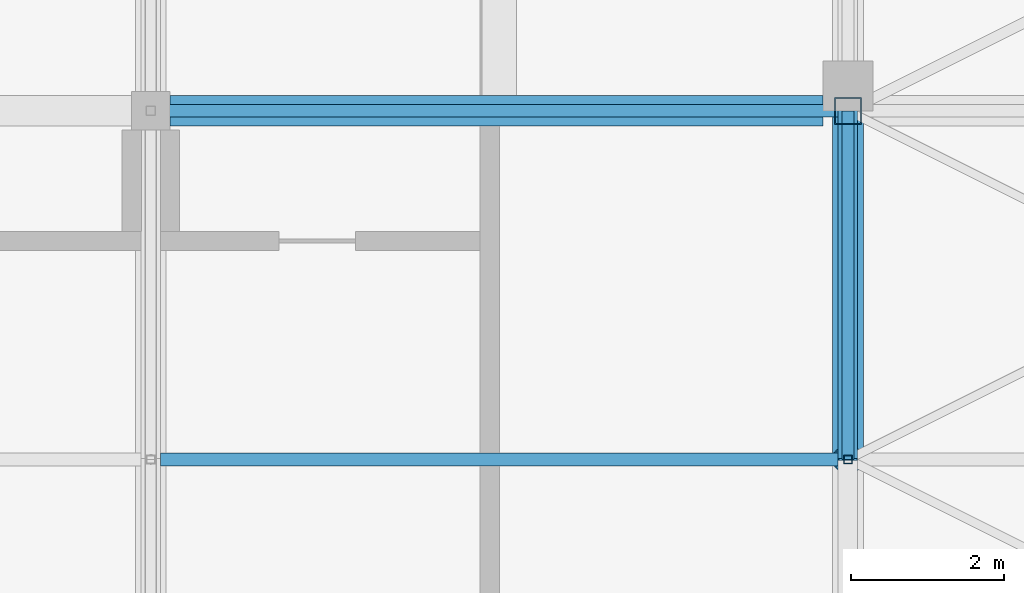
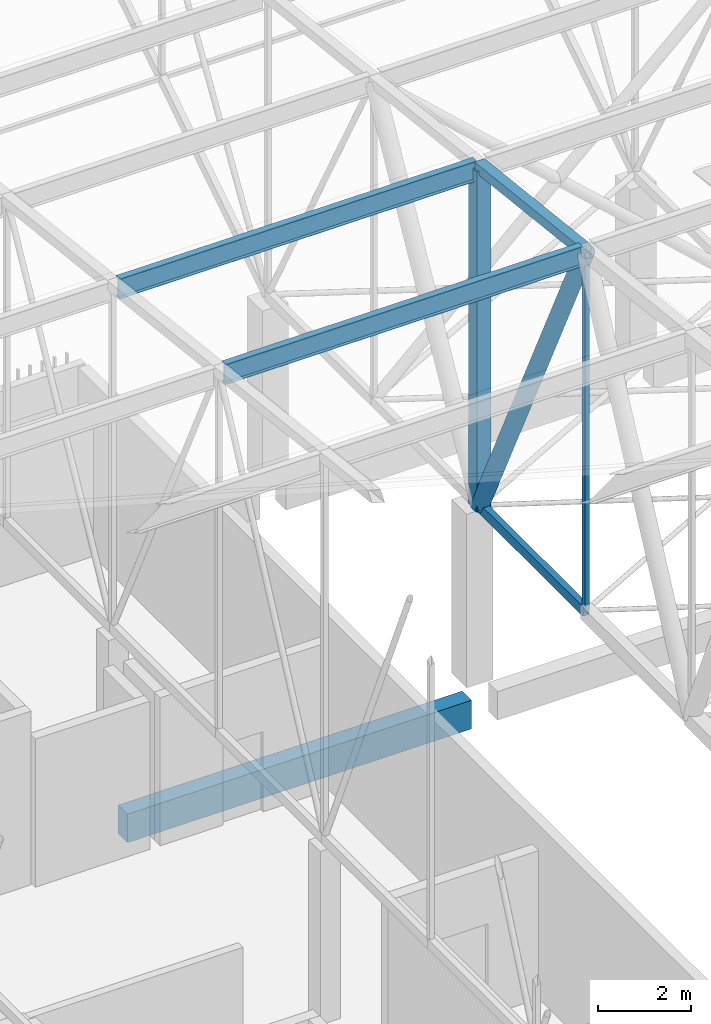
# One storey, part 242 of 500: 7 members, 1 beam.
"""IFC4 building model written with IfcOpenShell, lengths in metres."""

from ifc_helpers import new_model, si_unit, direction, frame, origin, origin_2d, place, context, subcontext, project, spatial, rectangle, hollow_rectangle, hollow_circle, i_section, extrude, material, material_profile, profile_set, type_object, element, save


model = new_model("IFC4")

# Units and contexts
model_context = context("Model", 3, precision=1e-05, world=origin(), true_north=direction((0.0, 1.0)))
body_context = subcontext(model_context, "Body", "Model", "MODEL_VIEW")
ifc_project = project(units=[si_unit("LENGTHUNIT", "METRE"), si_unit("AREAUNIT", "SQUARE_METRE"), si_unit("VOLUMEUNIT", "CUBIC_METRE"), si_unit("PLANEANGLEUNIT", "RADIAN"), si_unit("MASSUNIT", "GRAM", prefix="KILO")], contexts=[model_context])

# Site, building, storey
site_placement = place(None, origin())
site = spatial("IfcSite", under=ifc_project, at=site_placement, CompositionType="ELEMENT")
building_placement = place(site_placement, origin())
building = spatial("IfcBuilding", under=site, at=building_placement, Name="Shirokan Park Arena", CompositionType="ELEMENT")
storey_placement = place(building_placement, frame((0.0, 0.0, 29.1201171875)))
storey = spatial("IfcBuildingStorey", under=building, at=storey_placement, Name="L06", CompositionType="ELEMENT", Elevation=29.1201171875)

# Members
ifc_material_1 = material(Name="Steel ASTM A500 Grade C", Category="steel")
ifc_material_profile_1 = material_profile(ifc_material_1, hollow_rectangle(XDim=0.152099609375, YDim=0.25390625, WallThickness=0.015869140625, at=origin_2d()), Name="HSS254X152.4X15.9")
ifc_profile_set_1 = profile_set([ifc_material_profile_1], Name="Steel ASTM A500 Grade C")
member_type_1 = type_object("IfcMemberType", Name="Bottom chord HSS254X152.4X15.9", PredefinedType="CHORD", material=ifc_profile_set_1)
member_1_placement = place(storey_placement, frame((45.5, 95.550048828125, 4.677001953125), z_axis=(0.0, 1.0, 0.0), x_axis=(-1.0, 0.0, 0.0)))
element("IfcMember", 1, at=member_1_placement, inside=storey, type_object=member_type_1, Name="Truss T06 bottom chord 24", PredefinedType="CHORD", context=body_context, shape_type="SweptSolid", body=[
    extrude(hollow_rectangle(XDim=0.152099609375, YDim=0.25390625, WallThickness=0.015869140625, at=origin_2d()), origin(), (0.0, 0.0, 1.0), 4.550048828125),
])
ifc_material_2 = material(Name="Steel ASTM A992", Category="steel")
ifc_material_profile_2 = material_profile(ifc_material_2, i_section(OverallWidth=0.166015625, OverallDepth=0.528076171875, WebThickness=0.009765625, FlangeThickness=0.013671875, at=origin_2d()), Name="W530X74")
ifc_profile_set_2 = profile_set([ifc_material_profile_2], Name="Steel ASTM A992")
member_type_2 = type_object("IfcMemberType", Name="Purlin W530X74", PredefinedType="PURLIN", material=ifc_profile_set_2)
for number, where, z_axis, x_axis, name in (
    (2, (36.527099609375, 95.550048828125, 14.0458984375), (1.0, 0.0, 0.0), (0.0, 1.0, 0.0), "Purlin 24 bay 5"),
    (3, (36.527099609375, 100.10009765625, 13.52587890625), (1.0, 0.0, 0.0), (0.0, 1.0, 0.0), "Purlin 25 bay 5"),
):
    element("IfcMember", number, at=place(storey_placement, frame(where, z_axis=z_axis, x_axis=x_axis)), inside=storey, type_object=member_type_2, Name=name, PredefinedType="PURLIN", context=body_context, shape_type="SweptSolid", body=[
        extrude(i_section(OverallWidth=0.166015625, OverallDepth=0.528076171875, WebThickness=0.009765625, FlangeThickness=0.013671875, at=origin_2d()), origin(), (0.0, 0.0, 1.0), 8.845947265625),
    ])

# Beam
ifc_material_3 = material(Name="Concrete C35", Category="concrete")
ifc_material_profile_3 = material_profile(ifc_material_3, rectangle(XDim=0.39990234375, YDim=0.75, at=origin_2d()), Name="400x750")
ifc_profile_set_3 = profile_set([ifc_material_profile_3], Name="Concrete C35")
beam_type = type_object("IfcBeamType", Name="RC girder 400x750", PredefinedType="BEAM", material=ifc_profile_set_3)
beam_placement = place(storey_placement, frame((36.650146484375, 100.10009765625, -0.5751953125), z_axis=(1.0, 0.0, 0.0), x_axis=(0.0, 1.0, 0.0)))
element("IfcBeam", 4, at=beam_placement, inside=storey, type_object=beam_type, Name="Girder 5M-6M L06", PredefinedType="BEAM", context=body_context, shape_type="SweptSolid", body=[
    extrude(rectangle(XDim=0.39990234375, YDim=0.75, at=origin_2d()), origin(), (0.0, 0.0, 1.0), 8.524658203125),
])

# Members
ifc_material_profile_4 = material_profile(ifc_material_1, hollow_rectangle(XDim=0.25390625, YDim=0.25390625, WallThickness=0.009521484375, at=origin_2d()), Name="HSS254X254X9.5")
ifc_profile_set_4 = profile_set([ifc_material_profile_4], Name="Steel ASTM A500 Grade C")
member_type_3 = type_object("IfcMemberType", Name="Top chord HSS254X254X9.5", PredefinedType="CHORD", material=ifc_profile_set_4)
member_2_placement = place(storey_placement, frame((45.5, 95.550048828125, 14.101318359375), z_axis=(0.0, 0.993532328996, -0.113549598152), x_axis=(-1.0, 0.0, 0.0)))
element("IfcMember", 5, at=member_2_placement, inside=storey, type_object=member_type_3, Name="Truss T06 top chord 24", PredefinedType="CHORD", context=body_context, shape_type="SweptSolid", body=[
    extrude(hollow_rectangle(XDim=0.25390625, YDim=0.25390625, WallThickness=0.009521484375, at=origin_2d()), origin(), (0.0, 0.0, 1.0), 4.57958984375),
])
ifc_material_profile_5 = material_profile(ifc_material_1, hollow_circle(Radius=0.202880859375, WallThickness=0.015869140625, at=origin_2d()), Name="HSS406.4X15.9")
ifc_profile_set_5 = profile_set([ifc_material_profile_5], Name="Steel ASTM A500 Grade C")
member_type_4 = type_object("IfcMemberType", Name="Truss diagonal HSS406.4X15.9", PredefinedType="BRACE", material=ifc_profile_set_5)
member_3_placement = place(storey_placement, frame((45.5, 95.550048828125, 14.101318359375), z_axis=(0.0, 0.434778423415, -0.900537463148), x_axis=(-1.0, 0.0, 0.0)))
element("IfcMember", 6, at=member_3_placement, inside=storey, type_object=member_type_4, Name="Truss T06 diagonal 24", PredefinedType="BRACE", context=body_context, shape_type="SweptSolid", body=[
    extrude(hollow_circle(Radius=0.202880859375, WallThickness=0.015869140625, at=origin_2d()), origin(), (0.0, 0.0, 1.0), 10.46533203125),
])
ifc_material_profile_6 = material_profile(ifc_material_1, hollow_rectangle(XDim=0.114013671875, YDim=0.114013671875, WallThickness=0.00634765625, at=origin_2d()), Name="HSS114.3X114.3X6.4")
ifc_profile_set_6 = profile_set([ifc_material_profile_6], Name="Steel ASTM A500 Grade C")
member_type_5 = type_object("IfcMemberType", Name="Truss post HSS114.3X114.3X6.4", PredefinedType="POST", material=ifc_profile_set_6)
member_4_placement = place(storey_placement, frame((45.5, 95.550048828125, 4.677001953125), z_axis=(0.0, 0.0, 1.0), x_axis=(1.0, 0.0, 0.0)))
element("IfcMember", 7, at=member_4_placement, inside=storey, type_object=member_type_5, Name="Truss T06 post 24", PredefinedType="POST", context=body_context, shape_type="SweptSolid", body=[
    extrude(hollow_rectangle(XDim=0.114013671875, YDim=0.114013671875, WallThickness=0.00634765625, at=origin_2d()), origin(), (0.0, 0.0, 1.0), 9.42431640625),
])
ifc_material_profile_7 = material_profile(ifc_material_1, hollow_rectangle(XDim=0.35595703125, YDim=0.35595703125, WallThickness=0.015869140625, at=origin_2d()), Name="HSS355.6X355.6X15.9")
ifc_profile_set_7 = profile_set([ifc_material_profile_7], Name="Steel ASTM A500 Grade C")
member_type_6 = type_object("IfcMemberType", Name="Truss post HSS355.6X355.6X15.9", PredefinedType="POST", material=ifc_profile_set_7)
member_5_placement = place(storey_placement, frame((45.5, 100.10009765625, 4.677001953125), z_axis=(0.0, 0.0, 1.0), x_axis=(1.0, 0.0, 0.0)))
element("IfcMember", 8, at=member_5_placement, inside=storey, type_object=member_type_6, Name="Truss T06 post 25", PredefinedType="POST", context=body_context, shape_type="SweptSolid", body=[
    extrude(hollow_rectangle(XDim=0.35595703125, YDim=0.35595703125, WallThickness=0.015869140625, at=origin_2d()), origin(), (0.0, 0.0, 1.0), 8.904296875),
])

save(model, "model.ifc")
